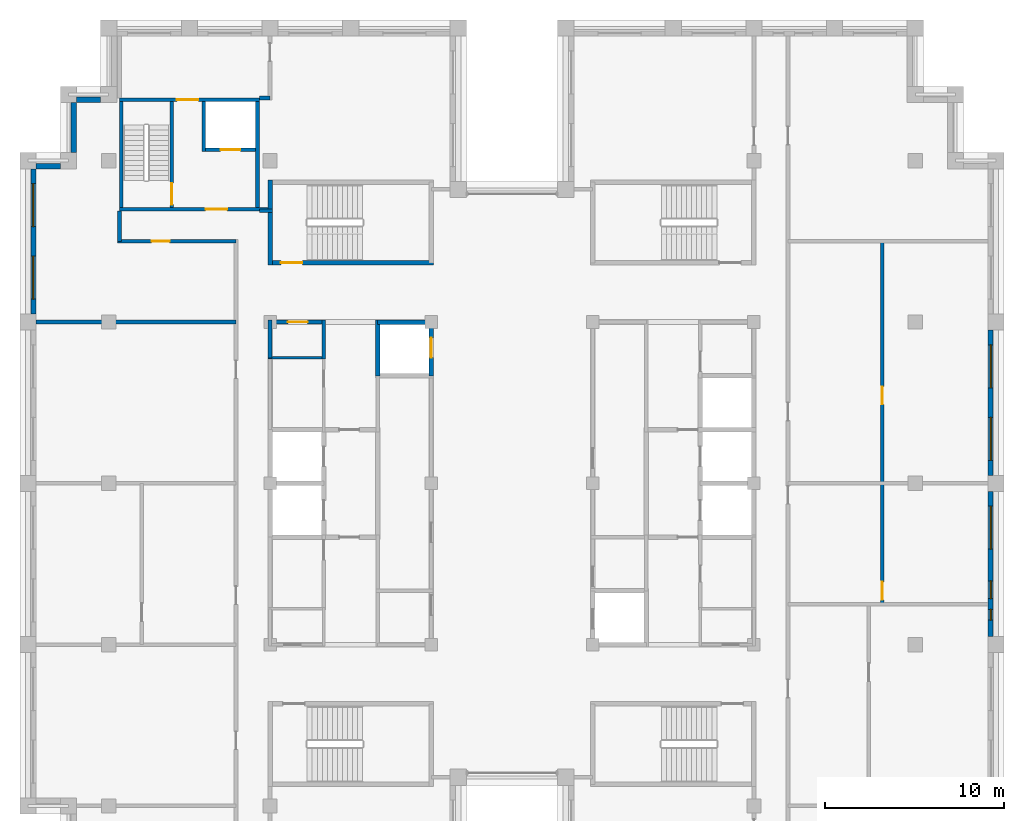
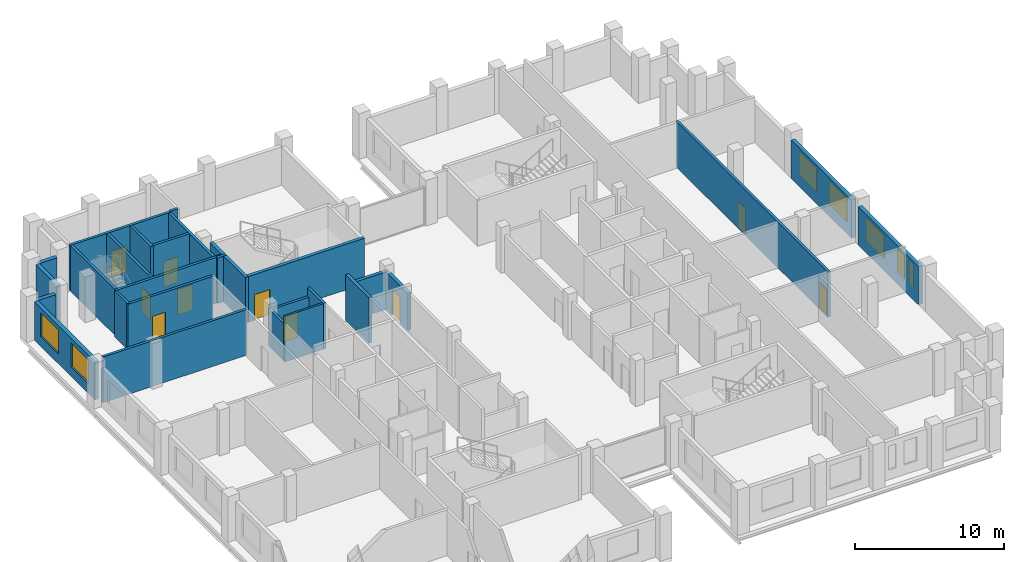
# One storey, part 9 of 13: 28 walls, 10 doors, 7 windows, 17 openings.
"""IFC4 building model written with IfcOpenShell, lengths in metres."""

from ifc_helpers import new_model, si_unit, direction, frame, frame_2d, origin, place, context, subcontext, project, spatial, rectangle, extrude, material, layer, layer_set, type_object, element, fill, save


model = new_model("IFC4")

# Units and contexts
model_context = context("Model", 3, precision=1e-05, world=origin(), true_north=direction((0.0, 1.0)))
body_context = subcontext(model_context, "Body", "Model", "MODEL_VIEW")
ifc_project = project(units=[si_unit("LENGTHUNIT", "METRE"), si_unit("AREAUNIT", "SQUARE_METRE"), si_unit("VOLUMEUNIT", "CUBIC_METRE"), si_unit("PLANEANGLEUNIT", "RADIAN"), si_unit("MASSUNIT", "GRAM", prefix="KILO")], contexts=[model_context])

# Site, building, storey
site_placement = place(None, origin())
site = spatial("IfcSite", under=ifc_project, at=site_placement, CompositionType="ELEMENT")
building_placement = place(site_placement, origin())
building = spatial("IfcBuilding", under=site, at=building_placement, Name="Corbelhall Arena Tower", CompositionType="ELEMENT")
storey_placement = place(building_placement, frame((0.0, 0.0, 330.0)))
storey = spatial("IfcBuildingStorey", under=building, at=storey_placement, Name="L72", CompositionType="ELEMENT", Elevation=330.0)

# Walls
ifc_material_1 = material(Name="Precast concrete C40/50 with granite facing", Category="masonry")
ifc_layer_1 = layer(ifc_material_1, 0.300048828125)
ifc_layer_set_1 = layer_set([ifc_layer_1], Name="EV-IW1 Infill panel 300")
wall_type_1 = type_object("IfcWallType", Name="EV-IW1 Infill panel 300", PredefinedType="SOLIDWALL", material=ifc_layer_set_1)
wall_1_placement = place(storey_placement, frame((-24.449951171875, 21.25, 0.0), z_axis=(0.0, 0.0, 1.0), x_axis=(0.0, -1.0, 0.0)))
element("IfcWall", 1, at=wall_1_placement, inside=storey, type_object=wall_type_1, Name="Infill panel IW1", PredefinedType="SOLIDWALL", context=body_context, shape_type="SweptSolid", body=[
    extrude(rectangle(XDim=2.800048828125, YDim=0.300048828125, at=frame_2d((1.39990234375, 0.0))), origin(), (0.0, 0.0, 1.0), 3.139892578125),
])
wall_2_placement = place(storey_placement, frame((-25.199951171875, 17.699951171875, 0.0), z_axis=(0.0, 0.0, 1.0), x_axis=(-1.0, 0.0, 0.0)))
element("IfcWall", 2, at=wall_2_placement, inside=storey, type_object=wall_type_1, Name="Infill panel IW1", PredefinedType="SOLIDWALL", context=body_context, shape_type="SweptSolid", body=[
    extrude(rectangle(XDim=1.35009765625, YDim=0.300048828125, at=frame_2d((0.675048828125, 0.0))), origin(), (0.0, 0.0, 1.0), 3.139892578125),
])

# Wall, openings, windows
wall_3_placement = place(storey_placement, frame((-26.699951171875, 17.550048828125, 0.0), z_axis=(0.0, 0.0, 1.0), x_axis=(0.0, -1.0, 0.0)))
wall_3 = element("IfcWall", 3, at=wall_3_placement, inside=storey, type_object=wall_type_1, Name="Infill panel IW1", PredefinedType="SOLIDWALL", context=body_context, shape_type="SweptSolid", body=[
    extrude(rectangle(XDim=8.10009765625, YDim=0.300048828125, at=frame_2d((4.050048828125, 0.0))), origin(), (0.0, 0.0, 1.0), 3.139892578125),
])
opening_1_placement = place(wall_3_placement, frame((0.824951171875, 0.0, 0.800048828125)))
opening_1 = element("IfcOpeningElement", 4, at=opening_1_placement, cuts=wall_3, Name="Opening WN1", PredefinedType="OPENING", context=body_context, shape_type="SweptSolid", body=[
    extrude(rectangle(XDim=2.39990234375, YDim=1.949951171875, at=frame_2d((1.199951171875, 0.97509765625))), frame((0.0, 0.14990234375, 0.0), z_axis=(0.0, -1.0, 0.0), x_axis=(1.0, 0.0, 0.0)), (0.0, 0.0, 1.0), 0.300048828125),
])
opening_2_placement = place(wall_3_placement, frame((4.875, 0.0, 0.800048828125)))
opening_2 = element("IfcOpeningElement", 5, at=opening_2_placement, cuts=wall_3, Name="Opening WN1", PredefinedType="OPENING", context=body_context, shape_type="SweptSolid", body=[
    extrude(rectangle(XDim=2.39990234375, YDim=1.949951171875, at=frame_2d((1.199951171875, 0.97509765625))), frame((0.0, 0.14990234375, 0.0), z_axis=(0.0, -1.0, 0.0), x_axis=(1.0, 0.0, 0.0)), (0.0, 0.0, 1.0), 0.300048828125),
])
ifc_material_2 = material(Name="Aluminium black anodised", Category="aluminium")
window_type_1 = type_object("IfcWindowType", Name="EV-WN1 Office window", PartitioningType="SINGLE_PANEL", PredefinedType="WINDOW", material=ifc_material_2)
window_1_placement = place(opening_1_placement, origin())
window_1 = element("IfcWindow", 6, at=window_1_placement, inside=storey, type_object=window_type_1, Name="Window WN1", OverallHeight=1.949951171875, OverallWidth=2.39990234375, PartitioningType="SINGLE_PANEL", PredefinedType="WINDOW", context=body_context, shape_type="SweptSolid", body=[
    extrude(rectangle(XDim=2.39990234375, YDim=1.949951171875, at=frame_2d((1.199951171875, 0.97509765625))), frame((0.0, 0.030029296875, 0.0), z_axis=(0.0, -1.0, 0.0), x_axis=(1.0, 0.0, 0.0)), (0.0, 0.0, 1.0), 0.06005859375),
])
fill(opening_1, window_1)
window_2_placement = place(opening_2_placement, origin())
window_2 = element("IfcWindow", 7, at=window_2_placement, inside=storey, type_object=window_type_1, Name="Window WN1", OverallHeight=1.949951171875, OverallWidth=2.39990234375, PartitioningType="SINGLE_PANEL", PredefinedType="WINDOW", context=body_context, shape_type="SweptSolid", body=[
    extrude(rectangle(XDim=2.39990234375, YDim=1.949951171875, at=frame_2d((1.199951171875, 0.97509765625))), frame((0.0, 0.030029296875, 0.0), z_axis=(0.0, -1.0, 0.0), x_axis=(1.0, 0.0, 0.0)), (0.0, 0.0, 1.0), 0.06005859375),
])
fill(opening_2, window_2)

wall_4_placement = place(storey_placement, frame((26.699951171875, -8.550048828125, 0.0), z_axis=(0.0, 0.0, 1.0), x_axis=(0.0, 1.0, 0.0)))
wall_4 = element("IfcWall", 8, at=wall_4_placement, inside=storey, type_object=wall_type_1, Name="Infill panel IW1", PredefinedType="SOLIDWALL", context=body_context, shape_type="SweptSolid", body=[
    extrude(rectangle(XDim=8.10009765625, YDim=0.300048828125, at=frame_2d((4.050048828125, 0.0))), origin(), (0.0, 0.0, 1.0), 3.139892578125),
])
opening_3_placement = place(wall_4_placement, frame((4.875, 0.0, 0.800048828125)))
opening_3 = element("IfcOpeningElement", 9, at=opening_3_placement, cuts=wall_4, Name="Opening WN1", PredefinedType="OPENING", context=body_context, shape_type="SweptSolid", body=[
    extrude(rectangle(XDim=2.39990234375, YDim=1.949951171875, at=frame_2d((1.199951171875, 0.97509765625))), frame((0.0, 0.14990234375, 0.0), z_axis=(0.0, -1.0, 0.0), x_axis=(1.0, 0.0, 0.0)), (0.0, 0.0, 1.0), 0.300048828125),
])
opening_4_placement = place(wall_4_placement, frame((0.91259765625, 0.0, 0.800048828125)))
opening_4 = element("IfcOpeningElement", 10, at=opening_4_placement, cuts=wall_4, Name="Opening WN5", PredefinedType="OPENING", context=body_context, shape_type="SweptSolid", body=[
    extrude(rectangle(XDim=0.60009765625, YDim=1.949951171875, at=frame_2d((0.300048828125, 0.97509765625))), frame((0.0, 0.14990234375, 0.0), z_axis=(0.0, -1.0, 0.0), x_axis=(1.0, 0.0, 0.0)), (0.0, 0.0, 1.0), 0.300048828125),
])
opening_5_placement = place(wall_4_placement, frame((2.112548828125, 0.0, 0.800048828125)))
opening_5 = element("IfcOpeningElement", 11, at=opening_5_placement, cuts=wall_4, Name="Opening WN6", PredefinedType="OPENING", context=body_context, shape_type="SweptSolid", body=[
    extrude(rectangle(XDim=1.0, YDim=1.949951171875, at=frame_2d((0.5, 0.97509765625))), frame((0.0, 0.14990234375, 0.0), z_axis=(0.0, -1.0, 0.0), x_axis=(1.0, 0.0, 0.0)), (0.0, 0.0, 1.0), 0.300048828125),
])
window_3_placement = place(opening_3_placement, origin())
window_3 = element("IfcWindow", 12, at=window_3_placement, inside=storey, type_object=window_type_1, Name="Window WN1", OverallHeight=1.949951171875, OverallWidth=2.39990234375, PartitioningType="SINGLE_PANEL", PredefinedType="WINDOW", context=body_context, shape_type="SweptSolid", body=[
    extrude(rectangle(XDim=2.39990234375, YDim=1.949951171875, at=frame_2d((1.199951171875, 0.97509765625))), frame((0.0, 0.030029296875, 0.0), z_axis=(0.0, -1.0, 0.0), x_axis=(1.0, 0.0, 0.0)), (0.0, 0.0, 1.0), 0.06005859375),
])
fill(opening_3, window_3)
window_type_2 = type_object("IfcWindowType", Name="EV-WN5 Office window 600", PartitioningType="SINGLE_PANEL", PredefinedType="WINDOW", material=ifc_material_2)
window_4_placement = place(opening_4_placement, origin())
window_4 = element("IfcWindow", 13, at=window_4_placement, inside=storey, type_object=window_type_2, Name="Window WN5", OverallHeight=1.949951171875, OverallWidth=0.60009765625, PartitioningType="SINGLE_PANEL", PredefinedType="WINDOW", context=body_context, shape_type="SweptSolid", body=[
    extrude(rectangle(XDim=0.60009765625, YDim=1.949951171875, at=frame_2d((0.300048828125, 0.97509765625))), frame((0.0, 0.030029296875, 0.0), z_axis=(0.0, -1.0, 0.0), x_axis=(1.0, 0.0, 0.0)), (0.0, 0.0, 1.0), 0.06005859375),
])
fill(opening_4, window_4)
window_type_3 = type_object("IfcWindowType", Name="EV-WN6 Office window 1000", PartitioningType="SINGLE_PANEL", PredefinedType="WINDOW", material=ifc_material_2)
window_5_placement = place(opening_5_placement, origin())
window_5 = element("IfcWindow", 14, at=window_5_placement, inside=storey, type_object=window_type_3, Name="Window WN6", OverallHeight=1.949951171875, OverallWidth=1.0, PartitioningType="SINGLE_PANEL", PredefinedType="WINDOW", context=body_context, shape_type="SweptSolid", body=[
    extrude(rectangle(XDim=1.0, YDim=1.949951171875, at=frame_2d((0.5, 0.97509765625))), frame((0.0, 0.030029296875, 0.0), z_axis=(0.0, -1.0, 0.0), x_axis=(1.0, 0.0, 0.0)), (0.0, 0.0, 1.0), 0.06005859375),
])
fill(opening_5, window_5)

wall_5_placement = place(storey_placement, frame((26.699951171875, 0.449951171875, 0.0), z_axis=(0.0, 0.0, 1.0), x_axis=(0.0, 1.0, 0.0)))
wall_5 = element("IfcWall", 15, at=wall_5_placement, inside=storey, type_object=wall_type_1, Name="Infill panel IW1", PredefinedType="SOLIDWALL", context=body_context, shape_type="SweptSolid", body=[
    extrude(rectangle(XDim=8.10009765625, YDim=0.300048828125, at=frame_2d((4.050048828125, 0.0))), origin(), (0.0, 0.0, 1.0), 3.139892578125),
])
opening_6_placement = place(wall_5_placement, frame((0.824951171875, 0.0, 0.800048828125)))
opening_6 = element("IfcOpeningElement", 16, at=opening_6_placement, cuts=wall_5, Name="Opening WN1", PredefinedType="OPENING", context=body_context, shape_type="SweptSolid", body=[
    extrude(rectangle(XDim=2.39990234375, YDim=1.949951171875, at=frame_2d((1.199951171875, 0.97509765625))), frame((0.0, 0.14990234375, 0.0), z_axis=(0.0, -1.0, 0.0), x_axis=(1.0, 0.0, 0.0)), (0.0, 0.0, 1.0), 0.300048828125),
])
opening_7_placement = place(wall_5_placement, frame((4.875, 0.0, 0.800048828125)))
opening_7 = element("IfcOpeningElement", 17, at=opening_7_placement, cuts=wall_5, Name="Opening WN1", PredefinedType="OPENING", context=body_context, shape_type="SweptSolid", body=[
    extrude(rectangle(XDim=2.39990234375, YDim=1.949951171875, at=frame_2d((1.199951171875, 0.97509765625))), frame((0.0, 0.14990234375, 0.0), z_axis=(0.0, -1.0, 0.0), x_axis=(1.0, 0.0, 0.0)), (0.0, 0.0, 1.0), 0.300048828125),
])
window_6_placement = place(opening_6_placement, origin())
window_6 = element("IfcWindow", 18, at=window_6_placement, inside=storey, type_object=window_type_1, Name="Window WN1", OverallHeight=1.949951171875, OverallWidth=2.39990234375, PartitioningType="SINGLE_PANEL", PredefinedType="WINDOW", context=body_context, shape_type="SweptSolid", body=[
    extrude(rectangle(XDim=2.39990234375, YDim=1.949951171875, at=frame_2d((1.199951171875, 0.97509765625))), frame((0.0, 0.030029296875, 0.0), z_axis=(0.0, -1.0, 0.0), x_axis=(1.0, 0.0, 0.0)), (0.0, 0.0, 1.0), 0.06005859375),
])
fill(opening_6, window_6)
window_7_placement = place(opening_7_placement, origin())
window_7 = element("IfcWindow", 19, at=window_7_placement, inside=storey, type_object=window_type_1, Name="Window WN1", OverallHeight=1.949951171875, OverallWidth=2.39990234375, PartitioningType="SINGLE_PANEL", PredefinedType="WINDOW", context=body_context, shape_type="SweptSolid", body=[
    extrude(rectangle(XDim=2.39990234375, YDim=1.949951171875, at=frame_2d((1.199951171875, 0.97509765625))), frame((0.0, 0.030029296875, 0.0), z_axis=(0.0, -1.0, 0.0), x_axis=(1.0, 0.0, 0.0)), (0.0, 0.0, 1.0), 0.06005859375),
])
fill(opening_7, window_7)

# Walls
wall_6_placement = place(storey_placement, frame((-22.949951171875, 21.39990234375, 0.0), z_axis=(0.0, 0.0, 1.0), x_axis=(-1.0, 0.0, 0.0)))
element("IfcWall", 20, at=wall_6_placement, inside=storey, type_object=wall_type_1, Name="Infill panel IW1", PredefinedType="SOLIDWALL", context=body_context, shape_type="SweptSolid", body=[
    extrude(rectangle(XDim=1.35009765625, YDim=0.300048828125, at=frame_2d((0.675048828125, 0.0))), origin(), (0.0, 0.0, 1.0), 3.139892578125),
])
ifc_material_3 = material(Name="Gypsum board on steel stud, acoustic", Category="steel")
ifc_layer_2 = layer(ifc_material_3, 0.199951171875)
ifc_layer_set_2 = layer_set([ifc_layer_2], Name="IN-W-DM200")
wall_type_2 = type_object("IfcWallType", Name="IN-W-DM200", PredefinedType="PARTITIONING", material=ifc_layer_set_2)
wall_7_placement = place(storey_placement, frame((-26.550048828125, 9.0, 0.0), z_axis=(0.0, 0.0, 1.0), x_axis=(1.0, 0.0, 0.0)))
element("IfcWall", 21, at=wall_7_placement, inside=storey, type_object=wall_type_2, Name="Partition 002", PredefinedType="PARTITIONING", context=body_context, shape_type="SweptSolid", body=[
    extrude(rectangle(XDim=11.150146484375, YDim=0.199951171875, at=frame_2d((5.5751953125, 0.0))), origin(), (0.0, 0.0, 1.0), 3.739990234375),
])
wall_8_placement = place(storey_placement, frame((-21.89990234375, 13.5, 0.0), z_axis=(0.0, 0.0, 1.0), x_axis=(0.0, 1.0, 0.0)))
element("IfcWall", 22, at=wall_8_placement, inside=storey, type_object=wall_type_2, Name="Partition 004", PredefinedType="PARTITIONING", context=body_context, shape_type="SweptSolid", body=[
    extrude(rectangle(XDim=1.699951171875, YDim=0.199951171875, at=frame_2d((0.85009765625, 0.0))), origin(), (0.0, 0.0, 1.0), 3.739990234375),
])

# Wall, opening, door
wall_9_placement = place(storey_placement, frame((-15.39990234375, 13.5, 0.0), z_axis=(0.0, 0.0, 1.0), x_axis=(-1.0, 0.0, 0.0)))
wall_9 = element("IfcWall", 23, at=wall_9_placement, inside=storey, type_object=wall_type_2, Name="Partition 009", PredefinedType="PARTITIONING", context=body_context, shape_type="SweptSolid", body=[
    extrude(rectangle(XDim=6.60009765625, YDim=0.199951171875, at=frame_2d((3.300048828125, 0.0))), origin(), (0.0, 0.0, 1.0), 3.739990234375),
])
opening_8_placement = place(wall_9_placement, frame((3.699951171875, 0.0, 0.0)))
opening_8 = element("IfcOpeningElement", 24, at=opening_8_placement, cuts=wall_9, Name="Opening 23024", PredefinedType="OPENING", context=body_context, shape_type="SweptSolid", body=[
    extrude(rectangle(XDim=1.0, YDim=2.10009765625, at=frame_2d((0.5, 1.050048828125))), frame((0.0, 0.10009765625, 0.0), z_axis=(0.0, -1.0, 0.0), x_axis=(1.0, 0.0, 0.0)), (0.0, 0.0, 1.0), 0.199951171875),
])
ifc_material_4 = material(Name="Steel door set", Category="steel")
door_type_1 = type_object("IfcDoorType", Name="IN-D-SW100", OperationType="NOTDEFINED", PredefinedType="DOOR", material=ifc_material_4)
door_1_placement = place(opening_8_placement, origin())
door_1 = element("IfcDoor", 25, at=door_1_placement, inside=storey, type_object=door_type_1, Name="Door 024", OperationType="SINGLE_SWING_LEFT", OverallHeight=2.10009765625, OverallWidth=1.0, PredefinedType="DOOR", context=body_context, shape_type="SweptSolid", body=[
    extrude(rectangle(XDim=1.0, YDim=2.10009765625, at=frame_2d((0.5, 1.050048828125))), frame((0.0, 0.02490234375, 0.0), z_axis=(0.0, -1.0, 0.0), x_axis=(1.0, 0.0, 0.0)), (0.0, 0.0, 1.0), 0.050048828125),
])
fill(opening_8, door_1)

# Walls
wall_10_placement = place(storey_placement, frame((-14.10009765625, 15.199951171875, 0.0), z_axis=(0.0, 0.0, 1.0), x_axis=(1.0, 0.0, 0.0)))
element("IfcWall", 26, at=wall_10_placement, inside=storey, type_object=wall_type_2, Name="Partition 010", PredefinedType="PARTITIONING", context=body_context, shape_type="SweptSolid", body=[
    extrude(rectangle(XDim=0.72509765625, YDim=0.199951171875, at=frame_2d((0.362548828125, 0.0))), origin(), (0.0, 0.0, 1.0), 3.739990234375),
])
wall_11_placement = place(storey_placement, frame((-13.5, 21.5, 0.0), z_axis=(0.0, 0.0, 1.0), x_axis=(-1.0, 0.0, 0.0)))
element("IfcWall", 27, at=wall_11_placement, inside=storey, type_object=wall_type_2, Name="Partition 012", PredefinedType="PARTITIONING", context=body_context, shape_type="SweptSolid", body=[
    extrude(rectangle(XDim=0.60009765625, YDim=0.199951171875, at=frame_2d((0.300048828125, 0.0))), origin(), (0.0, 0.0, 1.0), 3.739990234375),
])

# Wall, openings, doors
wall_12_placement = place(storey_placement, frame((20.64990234375, 13.60009765625, 0.0), z_axis=(0.0, 0.0, 1.0), x_axis=(0.0, -1.0, 0.0)))
wall_12 = element("IfcWall", 28, at=wall_12_placement, inside=storey, type_object=wall_type_2, Name="Partition 025", PredefinedType="PARTITIONING", context=body_context, shape_type="SweptSolid", body=[
    extrude(rectangle(XDim=20.35009765625, YDim=0.199951171875, at=frame_2d((10.175048828125, 0.0))), origin(), (0.0, 0.0, 1.0), 3.739990234375),
])
opening_9_placement = place(wall_12_placement, frame((8.199951171875, 0.0, 0.0)))
opening_9 = element("IfcOpeningElement", 29, at=opening_9_placement, cuts=wall_12, Name="Opening 23030", PredefinedType="OPENING", context=body_context, shape_type="SweptSolid", body=[
    extrude(rectangle(XDim=1.0, YDim=2.10009765625, at=frame_2d((0.5, 1.050048828125))), frame((0.0, 0.10009765625, 0.0), z_axis=(0.0, -1.0, 0.0), x_axis=(1.0, 0.0, 0.0)), (0.0, 0.0, 1.0), 0.199951171875),
])
opening_10_placement = place(wall_12_placement, frame((19.10009765625, 0.0, 0.0)))
opening_10 = element("IfcOpeningElement", 30, at=opening_10_placement, cuts=wall_12, Name="Opening 23036", PredefinedType="OPENING", context=body_context, shape_type="SweptSolid", body=[
    extrude(rectangle(XDim=1.0, YDim=2.10009765625, at=frame_2d((0.5, 1.050048828125))), frame((0.0, 0.10009765625, 0.0), z_axis=(0.0, -1.0, 0.0), x_axis=(1.0, 0.0, 0.0)), (0.0, 0.0, 1.0), 0.199951171875),
])
door_2_placement = place(opening_9_placement, origin())
door_2 = element("IfcDoor", 31, at=door_2_placement, inside=storey, type_object=door_type_1, Name="Door 030", OperationType="SINGLE_SWING_LEFT", OverallHeight=2.10009765625, OverallWidth=1.0, PredefinedType="DOOR", context=body_context, shape_type="SweptSolid", body=[
    extrude(rectangle(XDim=1.0, YDim=2.10009765625, at=frame_2d((0.5, 1.050048828125))), frame((0.0, 0.02490234375, 0.0), z_axis=(0.0, -1.0, 0.0), x_axis=(1.0, 0.0, 0.0)), (0.0, 0.0, 1.0), 0.050048828125),
])
fill(opening_9, door_2)
door_3_placement = place(opening_10_placement, origin())
door_3 = element("IfcDoor", 32, at=door_3_placement, inside=storey, type_object=door_type_1, Name="Door 036", OperationType="SINGLE_SWING_LEFT", OverallHeight=2.10009765625, OverallWidth=1.0, PredefinedType="DOOR", context=body_context, shape_type="SweptSolid", body=[
    extrude(rectangle(XDim=1.0, YDim=2.10009765625, at=frame_2d((0.5, 1.050048828125))), frame((0.0, 0.02490234375, 0.0), z_axis=(0.0, -1.0, 0.0), x_axis=(1.0, 0.0, 0.0)), (0.0, 0.0, 1.0), 0.050048828125),
])
fill(opening_10, door_3)

# Wall, opening, door
ifc_material_5 = material(Name="Concrete C40/50", Category="concrete")
ifc_layer_3 = layer(ifc_material_5, 0.199951171875)
ifc_layer_set_3 = layer_set([ifc_layer_3], Name="IN-W-EAR200")
wall_type_3 = type_object("IfcWallType", Name="IN-W-EAR200", PredefinedType="SOLIDWALL", material=ifc_layer_set_3)
wall_13_placement = place(storey_placement, frame((-21.89990234375, 15.300048828125, 0.0), z_axis=(0.0, 0.0, 1.0), x_axis=(1.0, 0.0, 0.0)))
wall_13 = element("IfcWall", 33, at=wall_13_placement, inside=storey, type_object=wall_type_3, Name="Fire service turret wall south", PredefinedType="SOLIDWALL", context=body_context, shape_type="SweptSolid", body=[
    extrude(rectangle(XDim=8.27490234375, YDim=0.199951171875, at=frame_2d((4.137451171875, 0.0))), origin(), (0.0, 0.0, 1.0), 3.739990234375),
])
opening_11_placement = place(wall_13_placement, frame((4.800048828125, 0.0, 0.0)))
opening_11 = element("IfcOpeningElement", 34, at=opening_11_placement, cuts=wall_13, Name="Opening E232", PredefinedType="OPENING", context=body_context, shape_type="SweptSolid", body=[
    extrude(rectangle(XDim=1.199951171875, YDim=2.10009765625, at=frame_2d((0.60009765625, 1.050048828125))), frame((0.0, 0.10009765625, 0.0), z_axis=(0.0, -1.0, 0.0), x_axis=(1.0, 0.0, 0.0)), (0.0, 0.0, 1.0), 0.199951171875),
])
door_type_2 = type_object("IfcDoorType", Name="IN-D-ST120", OperationType="NOTDEFINED", PredefinedType="DOOR", material=ifc_material_4)
door_4_placement = place(opening_11_placement, origin())
door_4 = element("IfcDoor", 35, at=door_4_placement, inside=storey, type_object=door_type_2, Name="Door from fire service lift lobby to circulation", OperationType="SINGLE_SWING_RIGHT", OverallHeight=2.10009765625, OverallWidth=1.199951171875, PredefinedType="DOOR", context=body_context, shape_type="SweptSolid", body=[
    extrude(rectangle(XDim=1.199951171875, YDim=2.10009765625, at=frame_2d((0.60009765625, 1.050048828125))), frame((0.0, 0.02490234375, 0.0), z_axis=(0.0, -1.0, 0.0), x_axis=(1.0, 0.0, 0.0)), (0.0, 0.0, 1.0), 0.050048828125),
])
fill(opening_11, door_4)

wall_14_placement = place(storey_placement, frame((-21.89990234375, 21.39990234375, 0.0), z_axis=(0.0, 0.0, 1.0), x_axis=(1.0, 0.0, 0.0)))
wall_14 = element("IfcWall", 36, at=wall_14_placement, inside=storey, type_object=wall_type_3, Name="Fire service turret wall north", PredefinedType="SOLIDWALL", context=body_context, shape_type="SweptSolid", body=[
    extrude(rectangle(XDim=7.7998046875, YDim=0.199951171875, at=frame_2d((3.89990234375, 0.0))), origin(), (0.0, 0.0, 1.0), 3.739990234375),
])
opening_12_placement = place(wall_14_placement, frame((3.199951171875, 0.0, 0.0)))
opening_12 = element("IfcOpeningElement", 37, at=opening_12_placement, cuts=wall_14, Name="Opening E233", PredefinedType="OPENING", context=body_context, shape_type="SweptSolid", body=[
    extrude(rectangle(XDim=1.199951171875, YDim=2.10009765625, at=frame_2d((0.60009765625, 1.050048828125))), frame((0.0, 0.10009765625, 0.0), z_axis=(0.0, -1.0, 0.0), x_axis=(1.0, 0.0, 0.0)), (0.0, 0.0, 1.0), 0.199951171875),
])
door_5_placement = place(opening_12_placement, origin())
door_5 = element("IfcDoor", 38, at=door_5_placement, inside=storey, type_object=door_type_2, Name="Door from fire service lift lobby to the north gallery", OperationType="SINGLE_SWING_LEFT", OverallHeight=2.10009765625, OverallWidth=1.199951171875, PredefinedType="DOOR", context=body_context, shape_type="SweptSolid", body=[
    extrude(rectangle(XDim=1.199951171875, YDim=2.10009765625, at=frame_2d((0.60009765625, 1.050048828125))), frame((0.0, 0.02490234375, 0.0), z_axis=(0.0, -1.0, 0.0), x_axis=(1.0, 0.0, 0.0)), (0.0, 0.0, 1.0), 0.050048828125),
])
fill(opening_12, door_5)

# Walls
for number, where, z_axis, x_axis, name in (
    (39, (-21.800048828125, 15.39990234375, 0.0), (0.0, 0.0, 1.0), (0.0, 1.0, 0.0), "Fire service turret wall west"),
    (40, (-14.199951171875, 15.39990234375, 0.0), (0.0, 0.0, 1.0), (0.0, 1.0, 0.0), "Fire service turret wall east"),
):
    element("IfcWall", number, at=place(storey_placement, frame(where, z_axis=z_axis, x_axis=x_axis)), inside=storey, type_object=wall_type_3, Name=name, PredefinedType="SOLIDWALL", context=body_context, shape_type="SweptSolid", body=[
        extrude(rectangle(XDim=5.900146484375, YDim=0.199951171875, at=frame_2d((2.9501953125, 0.0))), origin(), (0.0, 0.0, 1.0), 3.739990234375),
    ])

# Wall, opening, door
wall_15_placement = place(storey_placement, frame((-18.989990234375, 15.39990234375, 0.0), z_axis=(0.0, 0.0, 1.0), x_axis=(0.0, 1.0, 0.0)))
wall_15 = element("IfcWall", 41, at=wall_15_placement, inside=storey, type_object=wall_type_3, Name="Fire service turret wall stair", PredefinedType="SOLIDWALL", context=body_context, shape_type="SweptSolid", body=[
    extrude(rectangle(XDim=5.900146484375, YDim=0.199951171875, at=frame_2d((2.9501953125, 0.0))), origin(), (0.0, 0.0, 1.0), 3.739990234375),
])
opening_13_placement = place(wall_15_placement, frame((0.14990234375, 0.0, 0.0)))
opening_13 = element("IfcOpeningElement", 42, at=opening_13_placement, cuts=wall_15, Name="Opening E231", PredefinedType="OPENING", context=body_context, shape_type="SweptSolid", body=[
    extrude(rectangle(XDim=1.199951171875, YDim=2.10009765625, at=frame_2d((0.60009765625, 1.050048828125))), frame((0.0, 0.10009765625, 0.0), z_axis=(0.0, -1.0, 0.0), x_axis=(1.0, 0.0, 0.0)), (0.0, 0.0, 1.0), 0.199951171875),
])
door_6_placement = place(opening_13_placement, origin())
door_6 = element("IfcDoor", 43, at=door_6_placement, inside=storey, type_object=door_type_2, Name="Stair door to fire service lobby", OperationType="SINGLE_SWING_LEFT", OverallHeight=2.10009765625, OverallWidth=1.199951171875, PredefinedType="DOOR", context=body_context, shape_type="SweptSolid", body=[
    extrude(rectangle(XDim=1.199951171875, YDim=2.10009765625, at=frame_2d((0.60009765625, 1.050048828125))), frame((0.0, 0.02490234375, 0.0), z_axis=(0.0, -1.0, 0.0), x_axis=(1.0, 0.0, 0.0)), (0.0, 0.0, 1.0), 0.050048828125),
])
fill(opening_13, door_6)

# Wall
wall_16_placement = place(storey_placement, frame((-17.199951171875, 18.5, 0.0), z_axis=(0.0, 0.0, 1.0), x_axis=(0.0, 1.0, 0.0)))
element("IfcWall", 44, at=wall_16_placement, inside=storey, type_object=wall_type_3, Name="Fire service turret wall hoistway west", PredefinedType="SOLIDWALL", context=body_context, shape_type="SweptSolid", body=[
    extrude(rectangle(XDim=2.800048828125, YDim=0.199951171875, at=frame_2d((1.39990234375, 0.0))), origin(), (0.0, 0.0, 1.0), 3.739990234375),
])

# Wall, opening, door
wall_17_placement = place(storey_placement, frame((-17.10009765625, 18.60009765625, 0.0), z_axis=(0.0, 0.0, 1.0), x_axis=(1.0, 0.0, 0.0)))
wall_17 = element("IfcWall", 45, at=wall_17_placement, inside=storey, type_object=wall_type_3, Name="Fire service turret wall hoistway south", PredefinedType="SOLIDWALL", context=body_context, shape_type="SweptSolid", body=[
    extrude(rectangle(XDim=2.800048828125, YDim=0.199951171875, at=frame_2d((1.39990234375, 0.0))), origin(), (0.0, 0.0, 1.0), 3.739990234375),
])
opening_14_placement = place(wall_17_placement, frame((0.85009765625, 0.0, 0.0)))
opening_14 = element("IfcOpeningElement", 46, at=opening_14_placement, cuts=wall_17, Name="Opening LD", PredefinedType="OPENING", context=body_context, shape_type="SweptSolid", body=[
    extrude(rectangle(XDim=1.10009765625, YDim=2.10009765625, at=frame_2d((0.550048828125, 1.050048828125))), frame((0.0, 0.10009765625, 0.0), z_axis=(0.0, -1.0, 0.0), x_axis=(1.0, 0.0, 0.0)), (0.0, 0.0, 1.0), 0.199951171875),
])
door_type_3 = type_object("IfcDoorType", Name="IN-D-LD110", OperationType="NOTDEFINED", PredefinedType="DOOR", material=ifc_material_4)
door_7_placement = place(opening_14_placement, origin())
door_7 = element("IfcDoor", 47, at=door_7_placement, inside=storey, type_object=door_type_3, Name="Landing door FS1", OperationType="SLIDING_TO_LEFT", OverallHeight=2.10009765625, OverallWidth=1.10009765625, PredefinedType="DOOR", context=body_context, shape_type="SweptSolid", body=[
    extrude(rectangle(XDim=1.10009765625, YDim=2.10009765625, at=frame_2d((0.550048828125, 1.050048828125))), frame((0.0, 0.02490234375, 0.0), z_axis=(0.0, -1.0, 0.0), x_axis=(1.0, 0.0, 0.0)), (0.0, 0.0, 1.0), 0.050048828125),
])
fill(opening_14, door_7)

# Walls
ifc_material_6 = material(Name="Concrete block wall", Category="concrete")
ifc_layer_4 = layer(ifc_material_6, 0.199951171875)
ifc_layer_set_4 = layer_set([ifc_layer_4], Name="IN-W-RS200")
wall_type_4 = type_object("IfcWallType", Name="IN-W-RS200", PredefinedType="SOLIDWALL", material=ifc_layer_set_4)
wall_18_placement = place(storey_placement, frame((-10.5, 6.925048828125, 0.0), z_axis=(0.0, 0.0, 1.0), x_axis=(0.0, 1.0, 0.0)))
element("IfcWall", 48, at=wall_18_placement, inside=storey, type_object=wall_type_4, Name="Partition 031", PredefinedType="SOLIDWALL", context=body_context, shape_type="SweptSolid", body=[
    extrude(rectangle(XDim=2.175048828125, YDim=0.199951171875, at=frame_2d((1.08740234375, 0.0))), origin(), (0.0, 0.0, 1.0), 3.739990234375),
])
ifc_layer_5 = layer(ifc_material_6, 0.199951171875)
ifc_layer_set_5 = layer_set([ifc_layer_5], Name="IN-W-RS200 under beam 678 mm")
wall_type_5 = type_object("IfcWallType", Name="IN-W-RS200 under beam 678 mm", PredefinedType="SOLIDWALL", material=ifc_layer_set_5)
wall_19_placement = place(storey_placement, frame((-13.5, 7.0, 0.0), z_axis=(0.0, 0.0, 1.0), x_axis=(0.0, 1.0, 0.0)))
element("IfcWall", 49, at=wall_19_placement, inside=storey, type_object=wall_type_5, Name="Partition 028", PredefinedType="SOLIDWALL", context=body_context, shape_type="SweptSolid", body=[
    extrude(rectangle(XDim=2.10009765625, YDim=0.199951171875, at=frame_2d((1.050048828125, 0.0))), origin(), (0.0, 0.0, 1.0), 3.061767578125),
])

# Wall, opening, door
wall_20_placement = place(storey_placement, frame((-13.5, 9.0, 0.0), z_axis=(0.0, 0.0, 1.0), x_axis=(1.0, 0.0, 0.0)))
wall_20 = element("IfcWall", 50, at=wall_20_placement, inside=storey, type_object=wall_type_5, Name="Partition 029", PredefinedType="SOLIDWALL", context=body_context, shape_type="SweptSolid", body=[
    extrude(rectangle(XDim=3.0, YDim=0.199951171875, at=frame_2d((1.5, 0.0))), origin(), (0.0, 0.0, 1.0), 3.061767578125),
])
opening_15_placement = place(wall_20_placement, frame((1.0, 0.0, 0.0)))
opening_15 = element("IfcOpeningElement", 51, at=opening_15_placement, cuts=wall_20, Name="Opening 23008", PredefinedType="OPENING", context=body_context, shape_type="SweptSolid", body=[
    extrude(rectangle(XDim=1.10009765625, YDim=2.10009765625, at=frame_2d((0.550048828125, 1.050048828125))), frame((0.0, 0.10009765625, 0.0), z_axis=(0.0, -1.0, 0.0), x_axis=(1.0, 0.0, 0.0)), (0.0, 0.0, 1.0), 0.199951171875),
])
door_type_4 = type_object("IfcDoorType", Name="IN-D-FD110", OperationType="NOTDEFINED", PredefinedType="DOOR", material=ifc_material_4)
door_8_placement = place(opening_15_placement, origin())
door_8 = element("IfcDoor", 52, at=door_8_placement, inside=storey, type_object=door_type_4, Name="Door 008", OperationType="SINGLE_SWING_LEFT", OverallHeight=2.10009765625, OverallWidth=1.10009765625, PredefinedType="DOOR", context=body_context, shape_type="SweptSolid", body=[
    extrude(rectangle(XDim=1.10009765625, YDim=2.10009765625, at=frame_2d((0.550048828125, 1.050048828125))), frame((0.0, 0.02490234375, 0.0), z_axis=(0.0, -1.0, 0.0), x_axis=(1.0, 0.0, 0.0)), (0.0, 0.0, 1.0), 0.050048828125),
])
fill(opening_15, door_8)

# Walls
ifc_layer_6 = layer(ifc_material_5, 0.25)
ifc_layer_set_6 = layer_set([ifc_layer_6], Name="IN-W-SH250")
wall_type_6 = type_object("IfcWallType", Name="IN-W-SH250", PredefinedType="SOLIDWALL", material=ifc_layer_set_6)
wall_21_placement = place(storey_placement, frame((-7.5, 6.0, 0.0), z_axis=(0.0, 0.0, 1.0), x_axis=(0.0, 1.0, 0.0)))
element("IfcWall", 53, at=wall_21_placement, inside=storey, type_object=wall_type_6, Name="Shaft wall 054", PredefinedType="SOLIDWALL", context=body_context, shape_type="SweptSolid", body=[
    extrude(rectangle(XDim=3.125, YDim=0.25, at=frame_2d((1.5625, 0.0))), origin(), (0.0, 0.0, 1.0), 3.739990234375),
])
ifc_layer_7 = layer(ifc_material_5, 0.25)
ifc_layer_set_7 = layer_set([ifc_layer_7], Name="IN-W-SH250 under beam 678 mm")
wall_type_7 = type_object("IfcWallType", Name="IN-W-SH250 under beam 678 mm", PredefinedType="SOLIDWALL", material=ifc_layer_set_7)
wall_22_placement = place(storey_placement, frame((-7.5, 9.0, 0.0), z_axis=(0.0, 0.0, 1.0), x_axis=(1.0, 0.0, 0.0)))
element("IfcWall", 54, at=wall_22_placement, inside=storey, type_object=wall_type_7, Name="Shaft wall 055", PredefinedType="SOLIDWALL", context=body_context, shape_type="SweptSolid", body=[
    extrude(rectangle(XDim=3.0, YDim=0.25, at=frame_2d((1.5, 0.0))), origin(), (0.0, 0.0, 1.0), 3.061767578125),
])

# Wall, opening, door
wall_23_placement = place(storey_placement, frame((-4.5, 9.125, 0.0), z_axis=(0.0, 0.0, 1.0), x_axis=(0.0, -1.0, 0.0)))
wall_23 = element("IfcWall", 55, at=wall_23_placement, inside=storey, type_object=wall_type_7, Name="Shaft wall 056", PredefinedType="SOLIDWALL", context=body_context, shape_type="SweptSolid", body=[
    extrude(rectangle(XDim=3.125, YDim=0.25, at=frame_2d((1.5625, 0.0))), origin(), (0.0, 0.0, 1.0), 3.061767578125),
])
opening_16_placement = place(wall_23_placement, frame((1.012451171875, 0.0, 0.0)))
opening_16 = element("IfcOpeningElement", 56, at=opening_16_placement, cuts=wall_23, Name="Opening LD", PredefinedType="OPENING", context=body_context, shape_type="SweptSolid", body=[
    extrude(rectangle(XDim=1.10009765625, YDim=2.10009765625, at=frame_2d((0.550048828125, 1.050048828125))), frame((0.0, 0.125, 0.0), z_axis=(0.0, -1.0, 0.0), x_axis=(1.0, 0.0, 0.0)), (0.0, 0.0, 1.0), 0.25),
])
door_9_placement = place(opening_16_placement, origin())
door_9 = element("IfcDoor", 57, at=door_9_placement, inside=storey, type_object=door_type_3, Name="Landing door W6", OperationType="SLIDING_TO_LEFT", OverallHeight=2.10009765625, OverallWidth=1.10009765625, PredefinedType="DOOR", context=body_context, shape_type="SweptSolid", body=[
    extrude(rectangle(XDim=1.10009765625, YDim=2.10009765625, at=frame_2d((0.550048828125, 1.050048828125))), frame((0.0, 0.02490234375, 0.0), z_axis=(0.0, -1.0, 0.0), x_axis=(1.0, 0.0, 0.0)), (0.0, 0.0, 1.0), 0.050048828125),
])
fill(opening_16, door_9)

ifc_layer_8 = layer(ifc_material_5, 0.25)
ifc_layer_set_8 = layer_set([ifc_layer_8], Name="IN-W-ST250")
wall_type_8 = type_object("IfcWallType", Name="IN-W-ST250", PredefinedType="SOLIDWALL", material=ifc_layer_set_8)
wall_24_placement = place(storey_placement, frame((-13.5, 12.300048828125, 0.0), z_axis=(0.0, 0.0, 1.0), x_axis=(1.0, 0.0, 0.0)))
wall_24 = element("IfcWall", 58, at=wall_24_placement, inside=storey, type_object=wall_type_8, Name="Shaft wall 069", PredefinedType="SOLIDWALL", context=body_context, shape_type="SweptSolid", body=[
    extrude(rectangle(XDim=9.125, YDim=0.25, at=frame_2d((4.5625, 0.0))), origin(), (0.0, 0.0, 1.0), 3.739990234375),
])
opening_17_placement = place(wall_24_placement, frame((0.60009765625, 0.0, 0.0)))
opening_17 = element("IfcOpeningElement", 59, at=opening_17_placement, cuts=wall_24, Name="Opening 23015", PredefinedType="OPENING", context=body_context, shape_type="SweptSolid", body=[
    extrude(rectangle(XDim=1.199951171875, YDim=2.10009765625, at=frame_2d((0.60009765625, 1.050048828125))), frame((0.0, 0.125, 0.0), z_axis=(0.0, -1.0, 0.0), x_axis=(1.0, 0.0, 0.0)), (0.0, 0.0, 1.0), 0.25),
])
door_10_placement = place(opening_17_placement, origin())
door_10 = element("IfcDoor", 60, at=door_10_placement, inside=storey, type_object=door_type_2, Name="Door 015", OperationType="SINGLE_SWING_RIGHT", OverallHeight=2.10009765625, OverallWidth=1.199951171875, PredefinedType="DOOR", context=body_context, shape_type="SweptSolid", body=[
    extrude(rectangle(XDim=1.199951171875, YDim=2.10009765625, at=frame_2d((0.60009765625, 1.050048828125))), frame((0.0, 0.02490234375, 0.0), z_axis=(0.0, -1.0, 0.0), x_axis=(1.0, 0.0, 0.0)), (0.0, 0.0, 1.0), 0.050048828125),
])
fill(opening_17, door_10)

# Walls
wall_25_placement = place(storey_placement, frame((-13.5, 12.175048828125, 0.0), z_axis=(0.0, 0.0, 1.0), x_axis=(0.0, 1.0, 0.0)))
element("IfcWall", 61, at=wall_25_placement, inside=storey, type_object=wall_type_8, Name="Shaft wall 070", PredefinedType="SOLIDWALL", context=body_context, shape_type="SweptSolid", body=[
    extrude(rectangle(XDim=4.75, YDim=0.25, at=frame_2d((2.375, 0.0))), origin(), (0.0, 0.0, 1.0), 3.739990234375),
])
ifc_material_7 = material(Name="Gypsum board on steel stud, moisture resistant", Category="steel")
ifc_layer_9 = layer(ifc_material_7, 0.14990234375)
ifc_layer_set_9 = layer_set([ifc_layer_9], Name="IN-W-WC150")
wall_type_9 = type_object("IfcWallType", Name="IN-W-WC150", PredefinedType="PARTITIONING", material=ifc_layer_set_9)
wall_26_placement = place(storey_placement, frame((-13.60009765625, 7.0, 0.0), z_axis=(0.0, 0.0, 1.0), x_axis=(1.0, 0.0, 0.0)))
element("IfcWall", 62, at=wall_26_placement, inside=storey, type_object=wall_type_9, Name="Partition 085", PredefinedType="PARTITIONING", context=body_context, shape_type="SweptSolid", body=[
    extrude(rectangle(XDim=3.10009765625, YDim=0.14990234375, at=frame_2d((1.550048828125, 0.0))), origin(), (0.0, 0.0, 1.0), 3.739990234375),
])

save(model, "model.ifc")
